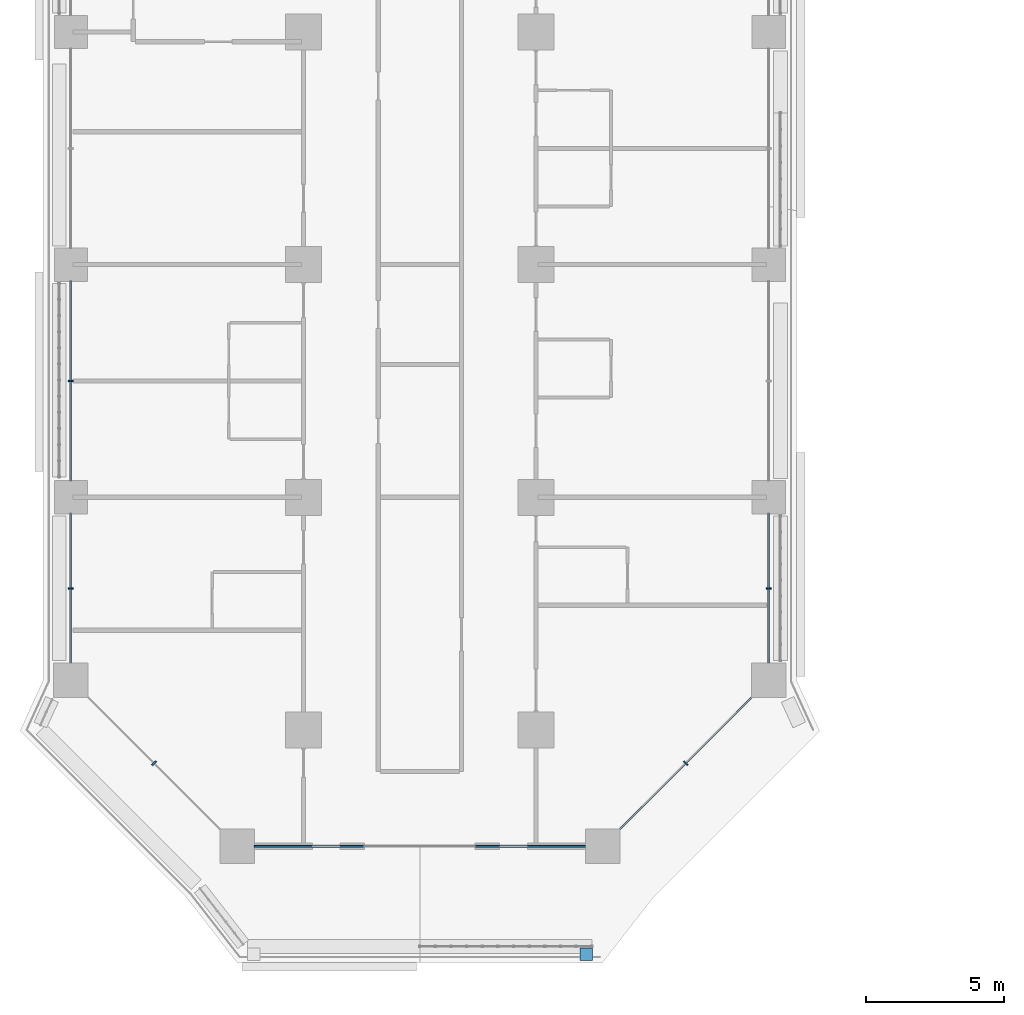
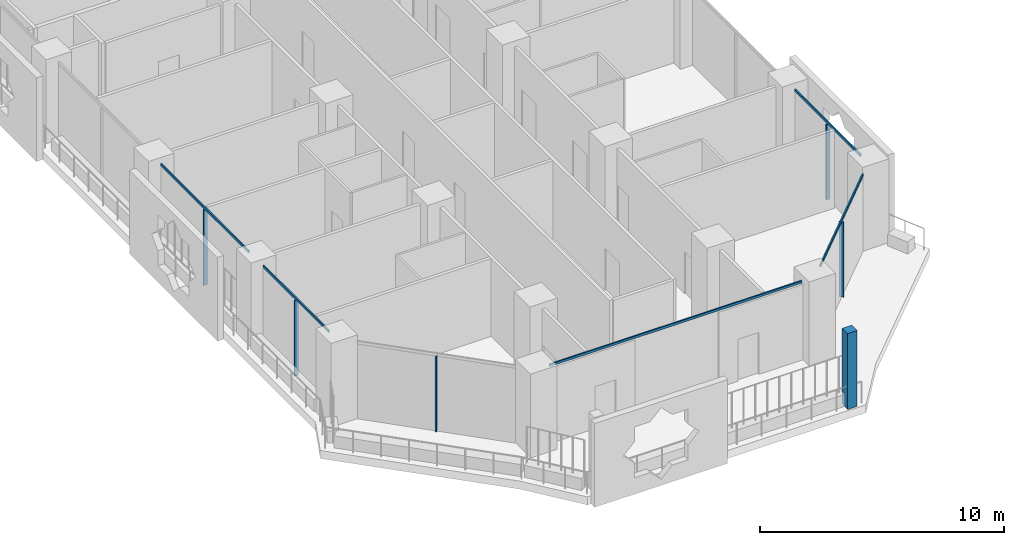
# One storey, part 2 of 28: 11 members, 6 elements without a shape of their own.
"""IFC4 building model written with IfcOpenShell, lengths in metres."""

from ifc_helpers import new_model, si_unit, direction, frame, origin, origin_2d, place, context, subcontext, project, spatial, rectangle, extrude, material, layer, layer_set, material_profile, profile_set, type_object, element, aggregate, save


model = new_model("IFC4")

# Units and contexts
model_context = context("Model", 3, precision=1e-05, world=origin(), true_north=direction((0.0, 1.0)))
body_context = subcontext(model_context, "Body", "Model", "MODEL_VIEW")
ifc_project = project(units=[si_unit("LENGTHUNIT", "METRE"), si_unit("AREAUNIT", "SQUARE_METRE"), si_unit("VOLUMEUNIT", "CUBIC_METRE"), si_unit("PLANEANGLEUNIT", "RADIAN"), si_unit("MASSUNIT", "GRAM", prefix="KILO")], contexts=[model_context])

# Site, building, storey
site_placement = place(None, origin())
site = spatial("IfcSite", under=ifc_project, at=site_placement, CompositionType="ELEMENT")
building_placement = place(site_placement, origin())
building = spatial("IfcBuilding", under=site, at=building_placement, Name="Kawkab Arch Medical Tower", CompositionType="ELEMENT")
storey_placement = place(building_placement, frame((0.0, 0.0, 72.800048828125)))
storey = spatial("IfcBuildingStorey", under=building, at=storey_placement, Name="L16", CompositionType="ELEMENT", Elevation=72.800048828125)

# Curtain wall, members
ifc_material_1 = material(Name="Bronze anodised aluminium curtain wall frame", Category="aluminium")
ifc_layer_1 = layer(ifc_material_1, 0.159912109375)
ifc_layer_set_1 = layer_set([ifc_layer_1], Name="Bronze anodised aluminium curtain wall frame")
curtain_wall_type_1 = type_object("IfcCurtainWallType", Name="CW1 ward curtain wall", PredefinedType="NOTDEFINED", material=ifc_layer_set_1)
placement = place(storey_placement, origin())
curtain_wall_1 = element("IfcCurtainWall", 1, at=placement, inside=storey, type_object=curtain_wall_type_1, Name="CW1 Ward curtain wall R01", PredefinedType="NOTDEFINED")
ifc_material_2 = material(Name="Bronze anodised aluminium curtain wall frame", Category="aluminium")
ifc_material_profile_1 = material_profile(ifc_material_2, rectangle(XDim=0.179931640625, YDim=0.06005859375, at=origin_2d()), Name="AL 60x180")
ifc_profile_set_1 = profile_set([ifc_material_profile_1], Name="Bronze anodised aluminium curtain wall frame")
member_type_1 = type_object("IfcMemberType", Name="CW1 mullion 60 x 180", PredefinedType="MULLION", material=ifc_profile_set_1)
member_1_placement = place(storey_placement, frame((0.0, -54.60009765625, 0.0), z_axis=(0.0, 0.0, 1.0), x_axis=(1.0, 0.0, 0.0)))
member_1 = element("IfcMember", 2, at=member_1_placement, type_object=member_type_1, Name="CW1 mullion 6.1", PredefinedType="MULLION", context=body_context, shape_type="SweptSolid", body=[
    extrude(rectangle(XDim=0.179931640625, YDim=0.06005859375, at=origin_2d()), origin(), (0.0, 0.0, 1.0), 3.780029296875),
])
member_2_placement = place(storey_placement, frame((0.0, -62.08740234375, 0.0), z_axis=(0.0, 0.0, 1.0), x_axis=(1.0, 0.0, 0.0)))
member_2 = element("IfcMember", 3, at=member_2_placement, type_object=member_type_1, Name="CW1 mullion 7.1", PredefinedType="MULLION", context=body_context, shape_type="SweptSolid", body=[
    extrude(rectangle(XDim=0.179931640625, YDim=0.06005859375, at=origin_2d()), origin(), (0.0, 0.0, 1.0), 3.780029296875),
])

# Curtain wall, member
curtain_wall_2 = element("IfcCurtainWall", 4, at=placement, inside=storey, type_object=curtain_wall_type_1, Name="CW1 Ward curtain wall R05", PredefinedType="NOTDEFINED")
member_3_placement = place(storey_placement, frame((25.199951171875, -62.08740234375, 0.0), z_axis=(0.0, 0.0, 1.0), x_axis=(-1.0, 0.0, 0.0)))
member_3 = element("IfcMember", 5, at=member_3_placement, type_object=member_type_1, Name="CW1 mullion 1.1", PredefinedType="MULLION", context=body_context, shape_type="SweptSolid", body=[
    extrude(rectangle(XDim=0.179931640625, YDim=0.06005859375, at=origin_2d()), origin(), (0.0, 0.0, 1.0), 3.780029296875),
])

# Member
ifc_material_3 = material(Name="Bronze anodised aluminium curtain wall frame", Category="aluminium")
ifc_material_profile_2 = material_profile(ifc_material_3, rectangle(XDim=0.06005859375, YDim=0.1201171875, at=origin_2d()), Name="AL 60x120")
ifc_profile_set_2 = profile_set([ifc_material_profile_2], Name="Bronze anodised aluminium curtain wall frame")
member_type_2 = type_object("IfcMemberType", Name="CW1 transom 120 x 60", PredefinedType="USERDEFINED", material=ifc_profile_set_2)
member_4_placement = place(storey_placement, frame((0.0, -51.0, 3.83984375), z_axis=(0.0, -1.0, 0.0), x_axis=(1.0, 0.0, 0.0)))
member_4 = element("IfcMember", 6, at=member_4_placement, type_object=member_type_2, Name="CW1 transom 6", ObjectType="TRANSOM", PredefinedType="USERDEFINED", context=body_context, shape_type="SweptSolid", body=[
    extrude(rectangle(XDim=0.06005859375, YDim=0.1201171875, at=origin_2d()), origin(), (0.0, 0.0, 1.0), 7.199951171875),
])

member_5_placement = place(storey_placement, frame((0.0, -59.39990234375, 3.83984375), z_axis=(0.0, -1.0, 0.0), x_axis=(1.0, 0.0, 0.0)))
member_5 = element("IfcMember", 7, at=member_5_placement, type_object=member_type_2, Name="CW1 transom 7", ObjectType="TRANSOM", PredefinedType="USERDEFINED", context=body_context, shape_type="SweptSolid", body=[
    extrude(rectangle(XDim=0.06005859375, YDim=0.1201171875, at=origin_2d()), origin(), (0.0, 0.0, 1.0), 5.375),
])

aggregate(curtain_wall_1, [member_4, member_1, member_5, member_2])

# Curtain wall, member
curtain_wall_3 = element("IfcCurtainWall", 8, at=placement, inside=storey, type_object=curtain_wall_type_1, Name="CW1 Ward curtain wall R03", PredefinedType="NOTDEFINED")
member_6_placement = place(storey_placement, frame((6.625, -71.39990234375, 3.83984375), z_axis=(1.0, 0.0, 0.0), x_axis=(0.0, 1.0, 0.0)))
member_6 = element("IfcMember", 9, at=member_6_placement, type_object=member_type_2, Name="CW1 transom 1", ObjectType="TRANSOM", PredefinedType="USERDEFINED", context=body_context, shape_type="SweptSolid", body=[
    extrude(rectangle(XDim=0.06005859375, YDim=0.1201171875, at=origin_2d()), origin(), (0.0, 0.0, 1.0), 11.949951171875),
])
aggregate(curtain_wall_3, [member_6])

# Member
member_7_placement = place(storey_placement, frame((25.199951171875, -64.77490234375, 3.83984375), z_axis=(0.0, 1.0, 0.0), x_axis=(-1.0, 0.0, 0.0)))
member_7 = element("IfcMember", 10, at=member_7_placement, type_object=member_type_2, Name="CW1 transom 1", ObjectType="TRANSOM", PredefinedType="USERDEFINED", context=body_context, shape_type="SweptSolid", body=[
    extrude(rectangle(XDim=0.06005859375, YDim=0.1201171875, at=origin_2d()), origin(), (0.0, 0.0, 1.0), 5.375),
])

aggregate(curtain_wall_2, [member_7, member_3])

# Curtain wall, member
ifc_material_4 = material(Name="Bronze anodised aluminium curtain wall frame", Category="aluminium")
ifc_layer_2 = layer(ifc_material_4, 0.159912109375)
ifc_layer_set_2 = layer_set([ifc_layer_2], Name="Bronze anodised aluminium curtain wall frame")
curtain_wall_type_2 = type_object("IfcCurtainWallType", Name="CW2 chamfer curtain wall", PredefinedType="NOTDEFINED", material=ifc_layer_set_2)
curtain_wall_4 = element("IfcCurtainWall", 11, at=placement, inside=storey, type_object=curtain_wall_type_2, Name="CW2 Chamfer curtain wall R02", PredefinedType="NOTDEFINED")
ifc_material_5 = material(Name="Bronze anodised aluminium curtain wall frame", Category="aluminium")
ifc_material_profile_3 = material_profile(ifc_material_5, rectangle(XDim=0.199951171875, YDim=0.06005859375, at=origin_2d()), Name="AL 60x200")
ifc_profile_set_3 = profile_set([ifc_material_profile_3], Name="Bronze anodised aluminium curtain wall frame")
member_type_3 = type_object("IfcMemberType", Name="CW2 mullion 60 x 200", PredefinedType="MULLION", material=ifc_profile_set_3)
member_8_placement = place(storey_placement, frame((3.0, -68.39990234375, 0.0), z_axis=(0.0, 0.0, 1.0), x_axis=(0.707106781187, 0.707106781187, 0.0)))
member_8 = element("IfcMember", 12, at=member_8_placement, type_object=member_type_3, Name="CW2 mullion 1.1", PredefinedType="MULLION", context=body_context, shape_type="SweptSolid", body=[
    extrude(rectangle(XDim=0.199951171875, YDim=0.06005859375, at=origin_2d()), origin(), (0.0, 0.0, 1.0), 3.760009765625),
])
aggregate(curtain_wall_4, [member_8])

# Curtain wall, members
curtain_wall_5 = element("IfcCurtainWall", 13, at=placement, inside=storey, type_object=curtain_wall_type_2, Name="CW2 Chamfer curtain wall R04", PredefinedType="NOTDEFINED")
member_9_placement = place(storey_placement, frame((22.199951171875, -68.39990234375, 0.0), z_axis=(0.0, 0.0, 1.0), x_axis=(-0.707106781187, 0.707106781187, 0.0)))
member_9 = element("IfcMember", 14, at=member_9_placement, type_object=member_type_3, Name="CW2 mullion 1.1", PredefinedType="MULLION", context=body_context, shape_type="SweptSolid", body=[
    extrude(rectangle(XDim=0.199951171875, YDim=0.06005859375, at=origin_2d()), origin(), (0.0, 0.0, 1.0), 3.760009765625),
])
ifc_material_6 = material(Name="Bronze anodised aluminium curtain wall frame", Category="aluminium")
ifc_material_profile_4 = material_profile(ifc_material_6, rectangle(XDim=0.06005859375, YDim=0.139892578125, at=origin_2d()), Name="AL 60x140")
ifc_profile_set_4 = profile_set([ifc_material_profile_4], Name="Bronze anodised aluminium curtain wall frame")
member_type_4 = type_object("IfcMemberType", Name="CW2 transom 140 x 60", PredefinedType="USERDEFINED", material=ifc_profile_set_4)
member_10_placement = place(storey_placement, frame((19.824951171875, -70.77490234375, 3.829833984375), z_axis=(0.707106781187, 0.707106781187, 0.0), x_axis=(-0.707106781187, 0.707106781187, 0.0)))
member_10 = element("IfcMember", 15, at=member_10_placement, type_object=member_type_4, Name="CW2 transom 1", ObjectType="TRANSOM", PredefinedType="USERDEFINED", context=body_context, shape_type="SweptSolid", body=[
    extrude(rectangle(XDim=0.06005859375, YDim=0.139892578125, at=origin_2d()), origin(), (0.0, 0.0, 1.0), 6.717529296875),
])
aggregate(curtain_wall_5, [member_10, member_9])

# Curtain wall, member
ifc_material_7 = material(Name="Bronze anodised aluminium climber frame, planted", Category="aluminium")
ifc_layer_3 = layer(ifc_material_7, 0.449951171875)
ifc_layer_set_3 = layer_set([ifc_layer_3], Name="Bronze anodised aluminium climber frame, planted")
curtain_wall_type_3 = type_object("IfcCurtainWallType", Name="Planted climber frame", PredefinedType="NOTDEFINED", material=ifc_layer_set_3)
curtain_wall_6 = element("IfcCurtainWall", 16, at=placement, inside=storey, type_object=curtain_wall_type_3, Name="Planted climber frame L16", PredefinedType="NOTDEFINED")
ifc_material_8 = material(Name="Bronze anodised aluminium climber frame, planted", Category="aluminium")
ifc_material_profile_5 = material_profile(ifc_material_8, rectangle(XDim=0.449951171875, YDim=0.449951171875, at=origin_2d()), Name="Post 450x450")
ifc_profile_set_5 = profile_set([ifc_material_profile_5], Name="Bronze anodised aluminium climber frame, planted")
member_type_5 = type_object("IfcMemberType", Name="Planted climber post 450 x 450", PredefinedType="MULLION", material=ifc_profile_set_5)
member_11_placement = place(storey_placement, frame((18.60302734375, -75.300048828125, 0.0), z_axis=(0.0, 0.0, 1.0), x_axis=(1.0, 0.0, 0.0)))
member_11 = element("IfcMember", 17, at=member_11_placement, type_object=member_type_5, Name="Planted climber post L16.LOG-01-01.1", PredefinedType="MULLION", context=body_context, shape_type="SweptSolid", body=[
    extrude(rectangle(XDim=0.449951171875, YDim=0.449951171875, at=origin_2d()), origin(), (0.0, 0.0, 1.0), 3.800048828125),
])
aggregate(curtain_wall_6, [member_11])

save(model, "model.ifc")
